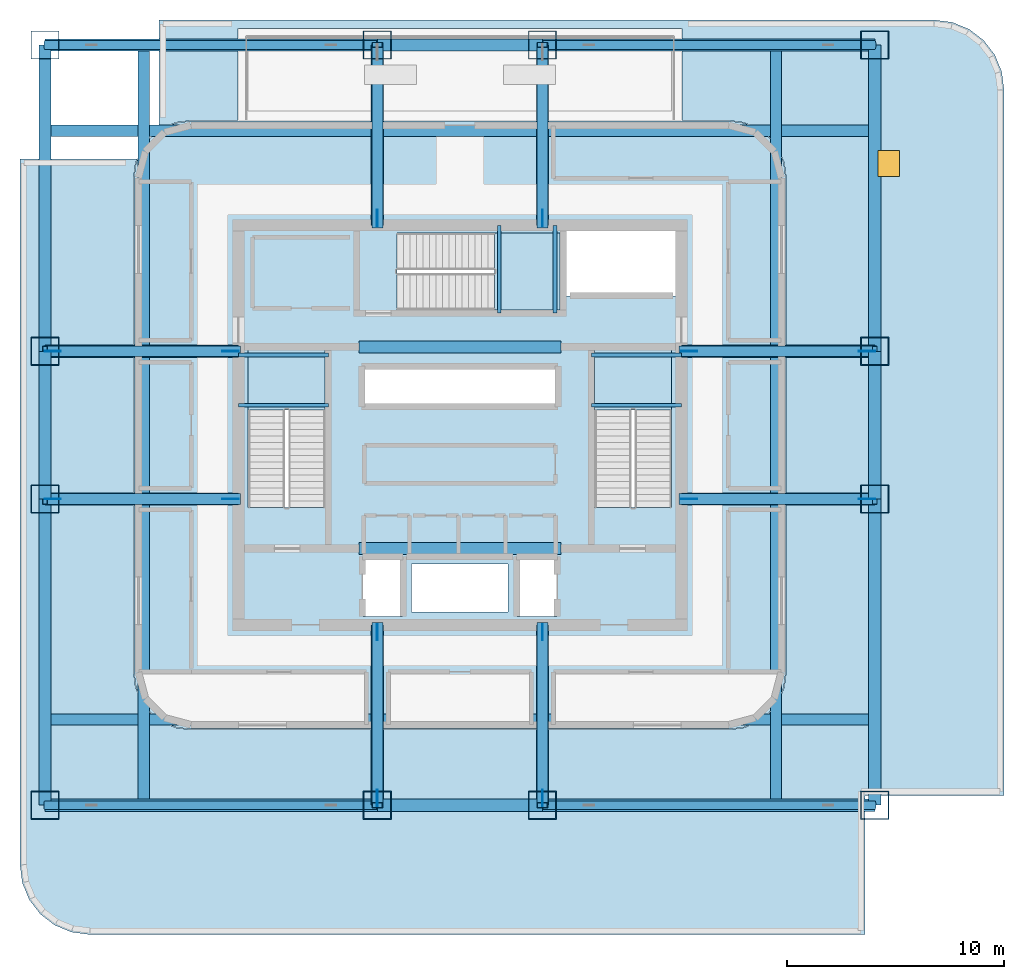
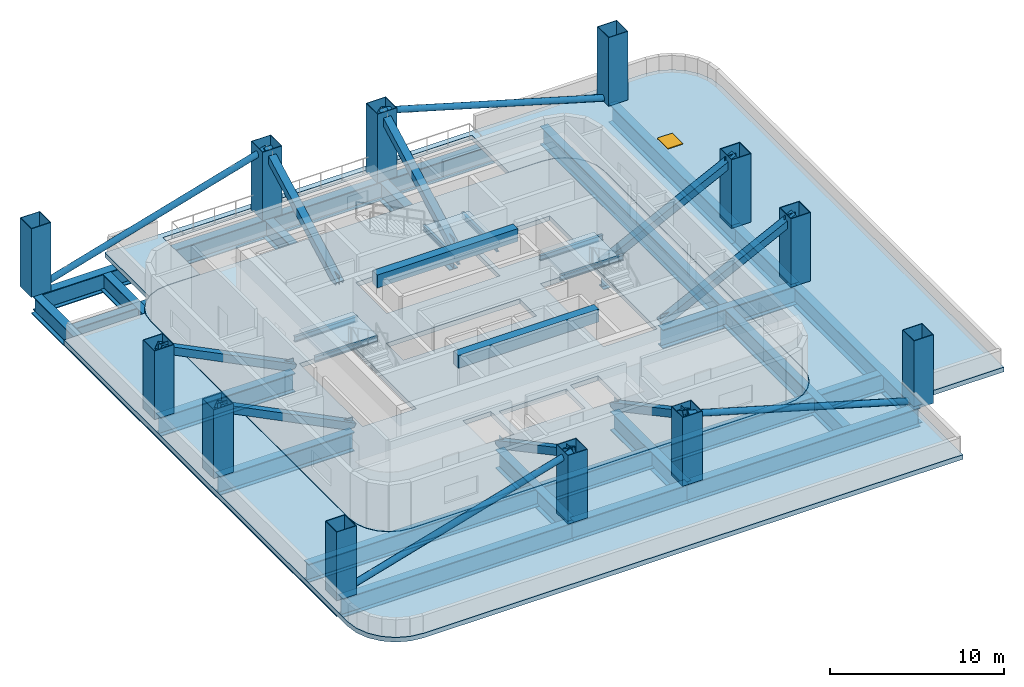
# One storey, part 1 of 11: 32 beams, 14 plates, 12 columns, 12 members, 5 slabs, 1 door, 1 opening, 3 elements without a shape of their own.
"""IFC4 building model written with IfcOpenShell, lengths in metres."""

from ifc_helpers import new_model, si_unit, direction, frame, origin, origin_2d, place, context, subcontext, project, spatial, polyline, rectangle, hollow_rectangle, hollow_circle, i_section, outline, extrude, material, layer, layer_set, material_profile, profile_set, type_object, element, fill, aggregate, save


model = new_model("IFC4")

# Units and contexts
model_context = context("Model", 3, precision=1e-05, world=origin(), true_north=direction((0.0, 1.0)))
body_context = subcontext(model_context, "Body", "Model", "MODEL_VIEW")
ifc_project = project(units=[si_unit("LENGTHUNIT", "METRE"), si_unit("AREAUNIT", "SQUARE_METRE"), si_unit("VOLUMEUNIT", "CUBIC_METRE"), si_unit("PLANEANGLEUNIT", "RADIAN"), si_unit("MASSUNIT", "GRAM", prefix="KILO")], contexts=[model_context])

# Site, building, storey
site_placement = place(None, origin())
site = spatial("IfcSite", under=ifc_project, at=site_placement, CompositionType="ELEMENT")
building_placement = place(site_placement, origin())
building = spatial("IfcBuilding", under=site, at=building_placement, Name="Punatoya Terracotta Tower", CompositionType="ELEMENT")
storey_placement = place(building_placement, frame((0.0, 0.0, 237.0)))
storey = spatial("IfcBuildingStorey", under=building, at=storey_placement, Name="L56", CompositionType="ELEMENT", Elevation=237.0)

# Columns
ifc_material_1 = material(Name="Steel S460", Category="steel")
ifc_material_profile_1 = material_profile(ifc_material_1, hollow_rectangle(XDim=1.300048828125, YDim=1.300048828125, WallThickness=0.0380859375, at=origin_2d()))
ifc_profile_set_1 = profile_set([ifc_material_profile_1], Name="Steel S460")
column_type = type_object("IfcColumnType", Name="COL-MC-Z3", PredefinedType="COLUMN", material=ifc_profile_set_1)
for number, where, z_axis, x_axis, name in (
    (1, (-19.10009765625, -17.5, 0.0), (0.0, 0.0, 1.0), (1.0, 0.0, 0.0), "L56 Composite Mega-Column MC-01 (3-B)"),
    (2, (-3.800048828125, -17.5, 0.0), (0.0, 0.0, 1.0), (1.0, 0.0, 0.0), "L56 Composite Mega-Column MC-02 (5-B)"),
    (3, (3.800048828125, -17.5, 0.0), (0.0, 0.0, 1.0), (1.0, 0.0, 0.0), "L56 Composite Mega-Column MC-03 (7-B)"),
    (4, (19.10009765625, -17.5, 0.0), (0.0, 0.0, 1.0), (1.0, 0.0, 0.0), "L56 Composite Mega-Column MC-04 (9-B)"),
    (5, (19.10009765625, -3.39990234375, 0.0), (0.0, 0.0, 1.0), (1.0, 0.0, 0.0), "L56 Composite Mega-Column MC-05 (9-D)"),
    (6, (19.10009765625, 3.39990234375, 0.0), (0.0, 0.0, 1.0), (1.0, 0.0, 0.0), "L56 Composite Mega-Column MC-06 (9-E)"),
    (7, (19.10009765625, 17.5, 0.0), (0.0, 0.0, 1.0), (1.0, 0.0, 0.0), "L56 Composite Mega-Column MC-07 (9-G)"),
    (8, (3.800048828125, 17.5, 0.0), (0.0, 0.0, 1.0), (1.0, 0.0, 0.0), "L56 Composite Mega-Column MC-08 (7-G)"),
    (9, (-3.800048828125, 17.5, 0.0), (0.0, 0.0, 1.0), (1.0, 0.0, 0.0), "L56 Composite Mega-Column MC-09 (5-G)"),
    (10, (-19.10009765625, 17.5, 0.0), (0.0, 0.0, 1.0), (1.0, 0.0, 0.0), "L56 Composite Mega-Column MC-10 (3-G)"),
    (11, (-19.10009765625, 3.39990234375, 0.0), (0.0, 0.0, 1.0), (1.0, 0.0, 0.0), "L56 Composite Mega-Column MC-11 (3-E)"),
    (12, (-19.10009765625, -3.39990234375, 0.0), (0.0, 0.0, 1.0), (1.0, 0.0, 0.0), "L56 Composite Mega-Column MC-12 (3-D)"),
):
    element("IfcColumn", number, at=place(storey_placement, frame(where, z_axis=z_axis, x_axis=x_axis)), inside=storey, type_object=column_type, Name=name, PredefinedType="COLUMN", context=body_context, shape_type="SweptSolid", body=[
        extrude(hollow_rectangle(XDim=1.300048828125, YDim=1.300048828125, WallThickness=0.0380859375, at=origin_2d()), origin(), (0.0, 0.0, 1.0), 4.800048828125),
    ])

# Beams
ifc_material_2 = material(Name="Concrete C50/60", Category="concrete")
ifc_material_profile_2 = material_profile(ifc_material_2, rectangle(XDim=0.550048828125, YDim=0.89990234375, at=origin_2d()))
ifc_profile_set_2 = profile_set([ifc_material_profile_2], Name="Concrete C50/60")
beam_type_1 = type_object("IfcBeamType", Name="BM-RC-900", PredefinedType="LINTEL", material=ifc_profile_set_2)
for number, where, z_axis, x_axis, name in (
    (13, (-4.64990234375, -5.679931640625, 4.030029296875), (1.0, 0.0, 0.0), (0.0, 1.0, 0.0), "L56 Core Coupling Lintel CSW"),
    (14, (-4.64990234375, 3.60009765625, 4.030029296875), (1.0, 0.0, 0.0), (0.0, 1.0, 0.0), "L56 Core Coupling Lintel CNW"),
):
    element("IfcBeam", number, at=place(storey_placement, frame(where, z_axis=z_axis, x_axis=x_axis)), inside=storey, type_object=beam_type_1, Name=name, PredefinedType="LINTEL", context=body_context, shape_type="SweptSolid", body=[
        extrude(rectangle(XDim=0.550048828125, YDim=0.89990234375, at=origin_2d()), origin(), (0.0, 0.0, 1.0), 9.2998046875),
    ])
ifc_material_3 = material(Name="Steel S355", Category="steel")
ifc_material_profile_3 = material_profile(ifc_material_3, i_section(OverallWidth=0.169921875, OverallDepth=0.360107421875, WebThickness=0.008056640625, FlangeThickness=0.0126953125, FilletRadius=0.01806640625, at=origin_2d()))
ifc_profile_set_3 = profile_set([ifc_material_profile_3], Name="Steel S355")
beam_type_2 = type_object("IfcBeamType", Name="BM-SEC-360", PredefinedType="JOIST", material=ifc_profile_set_3)
for number, where, z_axis, x_axis, name in (
    (15, (-10.199951171875, 0.919921875, 2.02001953125), (1.0, 0.0, 0.0), (0.0, 1.0, 0.0), "BM-L56-ST-1-LD1A"),
    (16, (-10.199951171875, 3.22998046875, 2.02001953125), (1.0, 0.0, 0.0), (0.0, 1.0, 0.0), "BM-L56-ST-1-LD1B"),
    (17, (6.050048828125, 0.919921875, 2.02001953125), (1.0, 0.0, 0.0), (0.0, 1.0, 0.0), "BM-L56-ST-2-LD1A"),
    (18, (6.050048828125, 3.22998046875, 2.02001953125), (1.0, 0.0, 0.0), (0.0, 1.0, 0.0), "BM-L56-ST-2-LD1B"),
):
    element("IfcBeam", number, at=place(storey_placement, frame(where, z_axis=z_axis, x_axis=x_axis)), inside=storey, type_object=beam_type_2, Name=name, PredefinedType="JOIST", context=body_context, shape_type="SweptSolid", body=[
        extrude(i_section(OverallWidth=0.169921875, OverallDepth=0.360107421875, WebThickness=0.008056640625, FlangeThickness=0.0126953125, FilletRadius=0.01806640625, at=origin_2d()), origin(), (0.0, 0.0, 1.0), 4.14990234375),
    ])
for number, where, z_axis, x_axis, name in (
    (19, (1.820068359375, 5.14990234375, 2.02001953125), (0.0, 1.0, 0.0), (-1.0, 0.0, 0.0), "BM-L56-ST-3-LD1A"),
    (20, (4.3798828125, 5.14990234375, 2.02001953125), (0.0, 1.0, 0.0), (-1.0, 0.0, 0.0), "BM-L56-ST-3-LD1B"),
):
    element("IfcBeam", number, at=place(storey_placement, frame(where, z_axis=z_axis, x_axis=x_axis)), inside=storey, type_object=beam_type_2, Name=name, PredefinedType="JOIST", context=body_context, shape_type="SweptSolid", body=[
        extrude(i_section(OverallWidth=0.169921875, OverallDepth=0.360107421875, WebThickness=0.008056640625, FlangeThickness=0.0126953125, FilletRadius=0.01806640625, at=origin_2d()), origin(), (0.0, 0.0, 1.0), 4.050048828125),
    ])
ifc_material_profile_4 = material_profile(ifc_material_1, i_section(OverallWidth=0.56005859375, OverallDepth=1.320068359375, WebThickness=0.035888671875, FlangeThickness=0.054931640625, FilletRadius=0.01806640625, at=origin_2d()))
ifc_profile_set_4 = profile_set([ifc_material_profile_4], Name="Steel S460")
beam_type_3 = type_object("IfcBeamType", Name="BM-TG-BLK", PredefinedType="BEAM", material=ifc_profile_set_4)
beam_1_placement = place(storey_placement, frame((-19.10009765625, -17.5, -0.97998046875), z_axis=(1.0, 0.0, 0.0), x_axis=(0.0, 1.0, 0.0)))
element("IfcBeam", 21, at=beam_1_placement, inside=storey, type_object=beam_type_3, Name="BM-L56-RG-S1", PredefinedType="BEAM", context=body_context, shape_type="SweptSolid", body=[
    extrude(i_section(OverallWidth=0.56005859375, OverallDepth=1.320068359375, WebThickness=0.035888671875, FlangeThickness=0.054931640625, FilletRadius=0.01806640625, at=origin_2d()), origin(), (0.0, 0.0, 1.0), 15.300048828125),
])
beam_2_placement = place(storey_placement, frame((-3.800048828125, -17.5, -0.97998046875), z_axis=(1.0, 0.0, 0.0), x_axis=(0.0, 1.0, 0.0)))
element("IfcBeam", 22, at=beam_2_placement, inside=storey, type_object=beam_type_3, Name="BM-L56-RG-S2", PredefinedType="BEAM", context=body_context, shape_type="SweptSolid", body=[
    extrude(i_section(OverallWidth=0.56005859375, OverallDepth=1.320068359375, WebThickness=0.035888671875, FlangeThickness=0.054931640625, FilletRadius=0.01806640625, at=origin_2d()), origin(), (0.0, 0.0, 1.0), 7.60009765625),
])
for number, where, z_axis, x_axis, name in (
    (23, (3.800048828125, -17.5, -0.97998046875), (1.0, 0.0, 0.0), (0.0, 1.0, 0.0), "BM-L56-RG-S3"),
    (24, (-19.10009765625, 17.5, -0.97998046875), (1.0, 0.0, 0.0), (0.0, 1.0, 0.0), "BM-L56-RG-N1"),
):
    element("IfcBeam", number, at=place(storey_placement, frame(where, z_axis=z_axis, x_axis=x_axis)), inside=storey, type_object=beam_type_3, Name=name, PredefinedType="BEAM", context=body_context, shape_type="SweptSolid", body=[
        extrude(i_section(OverallWidth=0.56005859375, OverallDepth=1.320068359375, WebThickness=0.035888671875, FlangeThickness=0.054931640625, FilletRadius=0.01806640625, at=origin_2d()), origin(), (0.0, 0.0, 1.0), 15.300048828125),
    ])
beam_3_placement = place(storey_placement, frame((-3.800048828125, 17.5, -0.97998046875), z_axis=(1.0, 0.0, 0.0), x_axis=(0.0, 1.0, 0.0)))
element("IfcBeam", 25, at=beam_3_placement, inside=storey, type_object=beam_type_3, Name="BM-L56-RG-N2", PredefinedType="BEAM", context=body_context, shape_type="SweptSolid", body=[
    extrude(i_section(OverallWidth=0.56005859375, OverallDepth=1.320068359375, WebThickness=0.035888671875, FlangeThickness=0.054931640625, FilletRadius=0.01806640625, at=origin_2d()), origin(), (0.0, 0.0, 1.0), 7.60009765625),
])
beam_4_placement = place(storey_placement, frame((3.800048828125, 17.5, -0.97998046875), z_axis=(1.0, 0.0, 0.0), x_axis=(0.0, 1.0, 0.0)))
element("IfcBeam", 26, at=beam_4_placement, inside=storey, type_object=beam_type_3, Name="BM-L56-RG-N3", PredefinedType="BEAM", context=body_context, shape_type="SweptSolid", body=[
    extrude(i_section(OverallWidth=0.56005859375, OverallDepth=1.320068359375, WebThickness=0.035888671875, FlangeThickness=0.054931640625, FilletRadius=0.01806640625, at=origin_2d()), origin(), (0.0, 0.0, 1.0), 15.300048828125),
])
beam_5_placement = place(storey_placement, frame((-19.10009765625, -17.5, -0.97998046875), z_axis=(0.0, 1.0, 0.0), x_axis=(-1.0, 0.0, 0.0)))
element("IfcBeam", 27, at=beam_5_placement, inside=storey, type_object=beam_type_3, Name="BM-L56-RG-W1", PredefinedType="BEAM", context=body_context, shape_type="SweptSolid", body=[
    extrude(i_section(OverallWidth=0.56005859375, OverallDepth=1.320068359375, WebThickness=0.035888671875, FlangeThickness=0.054931640625, FilletRadius=0.01806640625, at=origin_2d()), origin(), (0.0, 0.0, 1.0), 14.10009765625),
])
beam_6_placement = place(storey_placement, frame((-19.10009765625, -3.39990234375, -0.97998046875), z_axis=(0.0, 1.0, 0.0), x_axis=(-1.0, 0.0, 0.0)))
element("IfcBeam", 28, at=beam_6_placement, inside=storey, type_object=beam_type_3, Name="BM-L56-RG-W2", PredefinedType="BEAM", context=body_context, shape_type="SweptSolid", body=[
    extrude(i_section(OverallWidth=0.56005859375, OverallDepth=1.320068359375, WebThickness=0.035888671875, FlangeThickness=0.054931640625, FilletRadius=0.01806640625, at=origin_2d()), origin(), (0.0, 0.0, 1.0), 6.7998046875),
])
for number, where, z_axis, x_axis, name in (
    (29, (-19.10009765625, 3.39990234375, -0.97998046875), (0.0, 1.0, 0.0), (-1.0, 0.0, 0.0), "BM-L56-RG-W3"),
    (30, (19.10009765625, -17.5, -0.97998046875), (0.0, 1.0, 0.0), (-1.0, 0.0, 0.0), "BM-L56-RG-E1"),
):
    element("IfcBeam", number, at=place(storey_placement, frame(where, z_axis=z_axis, x_axis=x_axis)), inside=storey, type_object=beam_type_3, Name=name, PredefinedType="BEAM", context=body_context, shape_type="SweptSolid", body=[
        extrude(i_section(OverallWidth=0.56005859375, OverallDepth=1.320068359375, WebThickness=0.035888671875, FlangeThickness=0.054931640625, FilletRadius=0.01806640625, at=origin_2d()), origin(), (0.0, 0.0, 1.0), 14.10009765625),
    ])
beam_7_placement = place(storey_placement, frame((19.10009765625, -3.39990234375, -0.97998046875), z_axis=(0.0, 1.0, 0.0), x_axis=(-1.0, 0.0, 0.0)))
element("IfcBeam", 31, at=beam_7_placement, inside=storey, type_object=beam_type_3, Name="BM-L56-RG-E2", PredefinedType="BEAM", context=body_context, shape_type="SweptSolid", body=[
    extrude(i_section(OverallWidth=0.56005859375, OverallDepth=1.320068359375, WebThickness=0.035888671875, FlangeThickness=0.054931640625, FilletRadius=0.01806640625, at=origin_2d()), origin(), (0.0, 0.0, 1.0), 6.7998046875),
])
beam_8_placement = place(storey_placement, frame((19.10009765625, 3.39990234375, -0.97998046875), z_axis=(0.0, 1.0, 0.0), x_axis=(-1.0, 0.0, 0.0)))
element("IfcBeam", 32, at=beam_8_placement, inside=storey, type_object=beam_type_3, Name="BM-L56-RG-E3", PredefinedType="BEAM", context=body_context, shape_type="SweptSolid", body=[
    extrude(i_section(OverallWidth=0.56005859375, OverallDepth=1.320068359375, WebThickness=0.035888671875, FlangeThickness=0.054931640625, FilletRadius=0.01806640625, at=origin_2d()), origin(), (0.0, 0.0, 1.0), 14.10009765625),
])
for number, where, z_axis, x_axis, name in (
    (33, (-19.10009765625, -3.39990234375, -0.97998046875), (1.0, 0.0, 0.0), (0.0, 1.0, 0.0), "BM-L56-PR-WD"),
    (34, (-19.10009765625, 3.39990234375, -0.97998046875), (1.0, 0.0, 0.0), (0.0, 1.0, 0.0), "BM-L56-PR-WE"),
    (35, (10.199951171875, -3.39990234375, -0.97998046875), (1.0, 0.0, 0.0), (0.0, 1.0, 0.0), "BM-L56-PR-ED"),
    (36, (10.199951171875, 3.39990234375, -0.97998046875), (1.0, 0.0, 0.0), (0.0, 1.0, 0.0), "BM-L56-PR-EE"),
):
    element("IfcBeam", number, at=place(storey_placement, frame(where, z_axis=z_axis, x_axis=x_axis)), inside=storey, type_object=beam_type_3, Name=name, PredefinedType="BEAM", context=body_context, shape_type="SweptSolid", body=[
        extrude(i_section(OverallWidth=0.56005859375, OverallDepth=1.320068359375, WebThickness=0.035888671875, FlangeThickness=0.054931640625, FilletRadius=0.01806640625, at=origin_2d()), origin(), (0.0, 0.0, 1.0), 8.900146484375),
    ])
for number, where, z_axis, x_axis, name in (
    (37, (-3.800048828125, -17.5, -0.97998046875), (0.0, 1.0, 0.0), (-1.0, 0.0, 0.0), "BM-L56-PR-S2"),
    (38, (3.800048828125, -17.5, -0.97998046875), (0.0, 1.0, 0.0), (-1.0, 0.0, 0.0), "BM-L56-PR-S3"),
    (39, (-3.800048828125, 9.199951171875, -0.97998046875), (0.0, 1.0, 0.0), (-1.0, 0.0, 0.0), "BM-L56-PR-N2"),
    (40, (3.800048828125, 9.199951171875, -0.97998046875), (0.0, 1.0, 0.0), (-1.0, 0.0, 0.0), "BM-L56-PR-N3"),
):
    element("IfcBeam", number, at=place(storey_placement, frame(where, z_axis=z_axis, x_axis=x_axis)), inside=storey, type_object=beam_type_3, Name=name, PredefinedType="BEAM", context=body_context, shape_type="SweptSolid", body=[
        extrude(i_section(OverallWidth=0.56005859375, OverallDepth=1.320068359375, WebThickness=0.035888671875, FlangeThickness=0.054931640625, FilletRadius=0.01806640625, at=origin_2d()), origin(), (0.0, 0.0, 1.0), 8.300048828125),
    ])
ifc_material_profile_5 = material_profile(ifc_material_1, i_section(OverallWidth=0.52001953125, OverallDepth=1.280029296875, WebThickness=0.031982421875, FlangeThickness=0.050048828125, FilletRadius=0.01806640625, at=origin_2d()))
ifc_profile_set_5 = profile_set([ifc_material_profile_5], Name="Steel S460")
beam_type_4 = type_object("IfcBeamType", Name="BM-TG-NCK", PredefinedType="BEAM", material=ifc_profile_set_5)
for number, where, z_axis, x_axis, name in (
    (41, (-19.10009765625, -13.550048828125, -0.9599609375), (1.0, 0.0, 0.0), (0.0, 1.0, 0.0), "BM-L56-NCK-S"),
    (42, (-19.10009765625, 13.550048828125, -0.9599609375), (1.0, 0.0, 0.0), (0.0, 1.0, 0.0), "BM-L56-NCK-N"),
):
    element("IfcBeam", number, at=place(storey_placement, frame(where, z_axis=z_axis, x_axis=x_axis)), inside=storey, type_object=beam_type_4, Name=name, PredefinedType="BEAM", context=body_context, shape_type="SweptSolid", body=[
        extrude(i_section(OverallWidth=0.52001953125, OverallDepth=1.280029296875, WebThickness=0.031982421875, FlangeThickness=0.050048828125, FilletRadius=0.01806640625, at=origin_2d()), origin(), (0.0, 0.0, 1.0), 38.2001953125),
    ])
for number, where, z_axis, x_axis, name in (
    (43, (-14.550048828125, -17.5, -0.9599609375), (0.0, 1.0, 0.0), (-1.0, 0.0, 0.0), "BM-L56-NCK-W"),
    (44, (14.550048828125, -17.5, -0.9599609375), (0.0, 1.0, 0.0), (-1.0, 0.0, 0.0), "BM-L56-NCK-E"),
):
    element("IfcBeam", number, at=place(storey_placement, frame(where, z_axis=z_axis, x_axis=x_axis)), inside=storey, type_object=beam_type_4, Name=name, PredefinedType="BEAM", context=body_context, shape_type="SweptSolid", body=[
        extrude(i_section(OverallWidth=0.52001953125, OverallDepth=1.280029296875, WebThickness=0.031982421875, FlangeThickness=0.050048828125, FilletRadius=0.01806640625, at=origin_2d()), origin(), (0.0, 0.0, 1.0), 35.0),
    ])

# Members
ifc_material_profile_6 = material_profile(ifc_material_1, hollow_circle(Radius=0.202880859375, WallThickness=0.02001953125, at=origin_2d()))
ifc_profile_set_6 = profile_set([ifc_material_profile_6], Name="Steel S460")
member_type_1 = type_object("IfcMemberType", Name="MEM-NCK-CHS", PredefinedType="STRUT", material=ifc_profile_set_6)
for number, where, z_axis, x_axis, name in (
    (45, (-19.10009765625, -17.5, 0.02001953125), (0.960379972166, 0.0, 0.278693934383), (0.0, 1.0, 0.0), "L56 Baradari Colonnade Ring Strut NST-1"),
    (46, (3.800048828125, -17.5, 4.4599609375), (0.960379972166, 0.0, -0.278693934383), (0.0, 1.0, 0.0), "L56 Baradari Colonnade Ring Strut NST-2"),
    (47, (-19.10009765625, 17.5, 0.02001953125), (0.960379972166, 0.0, 0.278693934383), (0.0, 1.0, 0.0), "L56 Baradari Colonnade Ring Strut NST-3"),
    (48, (3.800048828125, 17.5, 4.4599609375), (0.960379972166, 0.0, -0.278693934383), (0.0, 1.0, 0.0), "L56 Baradari Colonnade Ring Strut NST-4"),
):
    element("IfcMember", number, at=place(storey_placement, frame(where, z_axis=z_axis, x_axis=x_axis)), inside=storey, type_object=member_type_1, Name=name, PredefinedType="STRUT", context=body_context, shape_type="SweptSolid", body=[
        extrude(hollow_circle(Radius=0.202880859375, WallThickness=0.02001953125, at=origin_2d()), origin(), (0.0, 0.0, 1.0), 15.93115234375),
    ])
ifc_material_profile_7 = material_profile(ifc_material_1, hollow_rectangle(XDim=0.5, YDim=0.5, WallThickness=0.028076171875, at=origin_2d()))
ifc_profile_set_7 = profile_set([ifc_material_profile_7], Name="Steel S460")
member_type_2 = type_object("IfcMemberType", Name="MEM-OUT-500", PredefinedType="BRACE", material=ifc_profile_set_7)
for number, where, z_axis, x_axis, name in (
    (49, (-10.199951171875, -3.39990234375, 0.02001953125), (-0.894834287834, 0.0, 0.446398473695), (0.0, -1.0, 0.0), "L56 Outrigger Truss Diagonal WS"),
    (50, (-10.199951171875, 3.39990234375, 0.02001953125), (-0.894834287834, 0.0, 0.446398473695), (0.0, -1.0, 0.0), "L56 Outrigger Truss Diagonal WN"),
    (51, (10.199951171875, -3.39990234375, 0.02001953125), (0.894834287834, 0.0, 0.446398473695), (0.0, 1.0, 0.0), "L56 Outrigger Truss Diagonal ES"),
    (52, (10.199951171875, 3.39990234375, 0.02001953125), (0.894834287834, 0.0, 0.446398473695), (0.0, 1.0, 0.0), "L56 Outrigger Truss Diagonal EN"),
):
    element("IfcMember", number, at=place(storey_placement, frame(where, z_axis=z_axis, x_axis=x_axis)), inside=storey, type_object=member_type_2, Name=name, PredefinedType="BRACE", context=body_context, shape_type="SweptSolid", body=[
        extrude(hollow_rectangle(XDim=0.5, YDim=0.5, WallThickness=0.028076171875, at=origin_2d()), origin(), (0.0, 0.0, 1.0), 9.946044921875),
    ])
for number, where, z_axis, x_axis, name in (
    (53, (-3.800048828125, -9.199951171875, 0.02001953125), (0.0, -0.881767833824, 0.471683672851), (1.0, 0.0, 0.0), "L56 Outrigger Truss Diagonal SW"),
    (54, (3.800048828125, -9.199951171875, 0.02001953125), (0.0, -0.881767833824, 0.471683672851), (1.0, 0.0, 0.0), "L56 Outrigger Truss Diagonal SE"),
    (55, (-3.800048828125, 9.199951171875, 0.02001953125), (0.0, 0.881767833824, 0.471683672851), (-1.0, 0.0, 0.0), "L56 Outrigger Truss Diagonal NW"),
    (56, (3.800048828125, 9.199951171875, 0.02001953125), (0.0, 0.881767833824, 0.471683672851), (-1.0, 0.0, 0.0), "L56 Outrigger Truss Diagonal NE"),
):
    element("IfcMember", number, at=place(storey_placement, frame(where, z_axis=z_axis, x_axis=x_axis)), inside=storey, type_object=member_type_2, Name=name, PredefinedType="BRACE", context=body_context, shape_type="SweptSolid", body=[
        extrude(hollow_rectangle(XDim=0.5, YDim=0.5, WallThickness=0.028076171875, at=origin_2d()), origin(), (0.0, 0.0, 1.0), 9.4130859375),
    ])

# Plates
ifc_layer_1 = layer(ifc_material_1, 0.035888671875)
ifc_layer_set_1 = layer_set([ifc_layer_1], Name="Steel S460")
plate_type = type_object("IfcPlateType", Name="PLT-GUS-36", PredefinedType="USERDEFINED", material=ifc_layer_set_1)
for number, where, z_axis, x_axis, name in (
    (57, (-10.555908203125, -3.39990234375, -0.177490234375), (0.0, 0.0, 1.0), (1.0, 0.0, 0.0), "L56 Outrigger Core Gusset Plate WS"),
    (58, (-18.743896484375, -3.39990234375, 3.907470703125), (0.0, 0.0, 1.0), (1.0, 0.0, 0.0), "L56 Outrigger Mega-Column Gusset Plate WS"),
    (59, (-10.555908203125, 3.39990234375, -0.177490234375), (0.0, 0.0, 1.0), (1.0, 0.0, 0.0), "L56 Outrigger Core Gusset Plate WN"),
    (60, (-18.743896484375, 3.39990234375, 3.907470703125), (0.0, 0.0, 1.0), (1.0, 0.0, 0.0), "L56 Outrigger Mega-Column Gusset Plate WN"),
    (61, (10.555908203125, -3.39990234375, -0.177490234375), (0.0, 0.0, 1.0), (1.0, 0.0, 0.0), "L56 Outrigger Core Gusset Plate ES"),
    (62, (18.743896484375, -3.39990234375, 3.907470703125), (0.0, 0.0, 1.0), (1.0, 0.0, 0.0), "L56 Outrigger Mega-Column Gusset Plate ES"),
    (63, (10.555908203125, 3.39990234375, -0.177490234375), (0.0, 0.0, 1.0), (1.0, 0.0, 0.0), "L56 Outrigger Core Gusset Plate EN"),
    (64, (18.743896484375, 3.39990234375, 3.907470703125), (0.0, 0.0, 1.0), (1.0, 0.0, 0.0), "L56 Outrigger Mega-Column Gusset Plate EN"),
    (65, (-3.800048828125, -9.531982421875, -0.177490234375), (0.0, 0.0, 1.0), (0.0, 1.0, 0.0), "L56 Outrigger Core Gusset Plate SW"),
    (66, (-3.800048828125, -17.16796875, 3.907470703125), (0.0, 0.0, 1.0), (0.0, 1.0, 0.0), "L56 Outrigger Mega-Column Gusset Plate SW"),
    (67, (3.800048828125, -9.531982421875, -0.177490234375), (0.0, 0.0, 1.0), (0.0, 1.0, 0.0), "L56 Outrigger Core Gusset Plate SE"),
    (68, (3.800048828125, -17.16796875, 3.907470703125), (0.0, 0.0, 1.0), (0.0, 1.0, 0.0), "L56 Outrigger Mega-Column Gusset Plate SE"),
    (69, (-3.800048828125, 9.531982421875, -0.177490234375), (0.0, 0.0, 1.0), (0.0, 1.0, 0.0), "L56 Outrigger Core Gusset Plate NW"),
    (70, (3.800048828125, 9.531982421875, -0.177490234375), (0.0, 0.0, 1.0), (0.0, 1.0, 0.0), "L56 Outrigger Core Gusset Plate NE"),
):
    element("IfcPlate", number, at=place(storey_placement, frame(where, z_axis=z_axis, x_axis=x_axis)), inside=storey, type_object=plate_type, Name=name, ObjectType="GUSSET_PLATE", PredefinedType="USERDEFINED", context=body_context, shape_type="SweptSolid", body=[
        extrude(rectangle(XDim=0.75, YDim=0.035888671875, at=origin_2d()), origin(), (0.0, 0.0, 1.0), 0.75),
    ])

# Stair, slab
ifc_material_4 = material(Name="Concrete C40/50", Category="concrete")
stair_type_1 = type_object("IfcStairType", Name="STR-TER-1450", PredefinedType="HALF_TURN_STAIR", material=ifc_material_4)
stair_1_placement = place(storey_placement, origin())
stair_1 = element("IfcStair", 71, at=stair_1_placement, inside=storey, type_object=stair_type_1, Name="L56 Protected Core Exit Stair ST-3", PredefinedType="HALF_TURN_STAIR")
ifc_layer_2 = layer(ifc_material_4, 0.1650390625)
ifc_layer_set_2 = layer_set([ifc_layer_2], Name="Concrete C40/50")
slab_type_1 = type_object("IfcSlabType", Name="SLB-LND-165", PredefinedType="LANDING", material=ifc_layer_set_2)
slab_1_placement = place(storey_placement, frame((0.0, 0.0, 2.199951171875)))
slab_1 = element("IfcSlab", 72, at=slab_1_placement, type_object=slab_type_1, Name="ST-3 landing 1", PredefinedType="LANDING", context=body_context, shape_type="SweptSolid", body=[
    extrude(outline(polyline([(1.60009765625, 5.300048828125), (4.60009765625, 5.300048828125), (4.60009765625, 8.85009765625), (1.60009765625, 8.85009765625), (1.60009765625, 5.300048828125)])), origin(), (0.0, 0.0, 1.0), 0.199951171875),
])
aggregate(stair_1, [slab_1])

stair_type_2 = type_object("IfcStairType", Name="STR-CORE-1550", PredefinedType="HALF_TURN_STAIR", material=ifc_material_4)
stair_2_placement = place(storey_placement, origin())
stair_2 = element("IfcStair", 73, at=stair_2_placement, inside=storey, type_object=stair_type_2, Name="L56 Protected Core Exit Stair ST-1", PredefinedType="HALF_TURN_STAIR")
ifc_layer_3 = layer(ifc_material_4, 0.179931640625)
ifc_layer_set_3 = layer_set([ifc_layer_3], Name="Concrete C40/50")
slab_type_2 = type_object("IfcSlabType", Name="SLB-LND-180", PredefinedType="LANDING", material=ifc_layer_set_3)
slab_2_placement = place(storey_placement, frame((0.0, 0.0, 2.199951171875)))
slab_2 = element("IfcSlab", 74, at=slab_2_placement, type_object=slab_type_2, Name="ST-1 landing 1", PredefinedType="LANDING", context=body_context, shape_type="SweptSolid", body=[
    extrude(outline(polyline([(-6.199951171875, 0.699951171875), (-6.199951171875, 3.449951171875), (-9.75, 3.449951171875), (-9.75, 0.699951171875), (-6.199951171875, 0.699951171875)])), origin(), (0.0, 0.0, 1.0), 0.199951171875),
])
aggregate(stair_2, [slab_2])

stair_type_3 = type_object("IfcStairType", Name="STR-LOB-1650", PredefinedType="HALF_TURN_STAIR", material=ifc_material_4)
stair_3_placement = place(storey_placement, origin())
stair_3 = element("IfcStair", 75, at=stair_3_placement, inside=storey, type_object=stair_type_3, Name="L56 Protected Core Exit Stair ST-2", PredefinedType="HALF_TURN_STAIR")
slab_3_placement = place(storey_placement, frame((0.0, 0.0, 2.199951171875)))
slab_3 = element("IfcSlab", 76, at=slab_3_placement, type_object=slab_type_2, Name="ST-2 landing 1", PredefinedType="LANDING", context=body_context, shape_type="SweptSolid", body=[
    extrude(outline(polyline([(9.75, 0.699951171875), (9.75, 3.449951171875), (6.199951171875, 3.449951171875), (6.199951171875, 0.699951171875), (9.75, 0.699951171875)])), origin(), (0.0, 0.0, 1.0), 0.199951171875),
])
aggregate(stair_3, [slab_3])

# Slab
ifc_layer_4 = layer(ifc_material_4, 0.320068359375)
ifc_layer_set_4 = layer_set([ifc_layer_4], Name="Concrete C40/50")
slab_type_3 = type_object("IfcSlabType", Name="SLB-PLT-320", PredefinedType="FLOOR", material=ifc_layer_set_4)
slab_4_placement = place(storey_placement, frame((0.0, 0.0, -0.320068359375)))
element("IfcSlab", 77, at=slab_4_placement, inside=storey, type_object=slab_type_3, Name="L56 Structural Floor Slab", PredefinedType="FLOOR", context=body_context, shape_type="SweptSolid", body=[
    extrude(outline(polyline([(-12.39990234375, -14.0), (-13.072998046875, -13.911376953125), (-13.699951171875, -13.651611328125), (-14.238525390625, -13.238525390625), (-14.651611328125, -12.699951171875), (-14.911376953125, -12.072998046875), (-15.0, -11.39990234375), (-15.0, 11.39990234375), (-14.911376953125, 12.072998046875), (-14.651611328125, 12.699951171875), (-14.238525390625, 13.238525390625), (-13.699951171875, 13.651611328125), (-13.072998046875, 13.911376953125), (-12.39990234375, 14.0), (12.39990234375, 14.0), (13.072998046875, 13.911376953125), (13.699951171875, 13.651611328125), (14.238525390625, 13.238525390625), (14.651611328125, 12.699951171875), (14.911376953125, 12.072998046875), (15.0, 11.39990234375), (15.0, -11.39990234375), (14.911376953125, -12.072998046875), (14.651611328125, -12.699951171875), (14.238525390625, -13.238525390625), (13.699951171875, -13.651611328125), (13.072998046875, -13.911376953125), (12.39990234375, -14.0), (-12.39990234375, -14.0)]), holes=[polyline([(-2.6298828125, -6.179931640625), (-4.469970703125, -6.179931640625), (-4.469970703125, -8.820068359375), (-2.6298828125, -8.820068359375), (-2.6298828125, -6.179931640625)]), polyline([(0.02001953125, -8.594970703125), (2.219970703125, -8.594970703125), (2.219970703125, -6.405029296875), (0.02001953125, -6.405029296875), (-0.02001953125, -6.405029296875), (-2.219970703125, -6.405029296875), (-2.219970703125, -8.594970703125), (-0.02001953125, -8.594970703125), (0.02001953125, -8.594970703125)]), polyline([(-6.199951171875, 3.449951171875), (-9.75, 3.449951171875), (-9.75, -3.79931640625), (-6.199951171875, -3.79931640625), (-6.199951171875, 3.449951171875)]), polyline([(-4.419921875, 2.719970703125), (-4.419921875, 0.780029296875), (-2.219970703125, 0.780029296875), (-2.179931640625, 0.780029296875), (-0.02001953125, 0.780029296875), (0.02001953125, 0.780029296875), (2.179931640625, 0.780029296875), (2.219970703125, 0.780029296875), (4.419921875, 0.780029296875), (4.419921875, 2.719970703125), (2.219970703125, 2.719970703125), (2.179931640625, 2.719970703125), (0.02001953125, 2.719970703125), (-0.02001953125, 2.719970703125), (-2.179931640625, 2.719970703125), (-2.219970703125, 2.719970703125), (-4.419921875, 2.719970703125)]), polyline([(4.60009765625, 5.300048828125), (4.60009765625, 8.85009765625), (-2.899169921875, 8.85009765625), (-2.899169921875, 5.300048828125), (4.60009765625, 5.300048828125)]), polyline([(4.469970703125, -8.820068359375), (4.469970703125, -6.179931640625), (2.6298828125, -6.179931640625), (2.6298828125, -8.820068359375), (4.469970703125, -8.820068359375)]), polyline([(9.75, 3.449951171875), (6.199951171875, 3.449951171875), (6.199951171875, -3.79931640625), (9.75, -3.79931640625), (9.75, 3.449951171875)]), polyline([(10.050048828125, 5.949951171875), (10.050048828125, 9.050048828125), (4.89990234375, 9.050048828125), (4.89990234375, 5.949951171875), (10.050048828125, 5.949951171875)])]), origin(), (0.0, 0.0, 1.0), 0.320068359375),
])

# Slab, opening, door
ifc_layer_5 = layer(ifc_material_4, 0.320068359375)
ifc_layer_set_5 = layer_set([ifc_layer_5], Name="Concrete C40/50")
slab_type_4 = type_object("IfcSlabType", Name="SLB-ROF-320", PredefinedType="ROOF", material=ifc_layer_set_5)
slab_5_placement = place(storey_placement, frame((0.0, 0.0, -0.320068359375)))
slab_5 = element("IfcSlab", 78, at=slab_5_placement, inside=storey, type_object=slab_type_4, Name="L56 Junction Roof Slab 1 over L55 Plate", PredefinedType="ROOF", context=body_context, shape_type="SweptSolid", body=[
    extrude(outline(polyline([(22.67822265625, 18.541015625), (21.85009765625, 18.64990234375), (-13.85009765625, 18.64990234375), (-13.85009765625, 13.561767578125), (-13.710205078125, 13.669189453125), (-13.078125, 13.930908203125), (-12.4013671875, 14.02001953125), (-10.219970703125, 14.02001953125), (-10.219970703125, 18.27001953125), (10.219970703125, 18.27001953125), (10.219970703125, 14.02001953125), (12.4013671875, 14.02001953125), (13.078125, 13.930908203125), (13.710205078125, 13.669189453125), (14.252685546875, 13.252685546875), (14.669189453125, 12.710205078125), (14.930908203125, 12.078125), (15.02001953125, 11.4013671875), (15.02001953125, -11.4013671875), (14.930908203125, -12.078125), (14.669189453125, -12.710205078125), (14.252685546875, -13.252685546875), (13.710205078125, -13.669189453125), (13.078125, -13.930908203125), (12.4013671875, -14.02001953125), (-12.4013671875, -14.02001953125), (-13.078125, -13.930908203125), (-13.710205078125, -13.669189453125), (-14.252685546875, -13.252685546875), (-14.669189453125, -12.710205078125), (-14.930908203125, -12.078125), (-15.02001953125, -11.4013671875), (-15.02001953125, 11.4013671875), (-14.930908203125, 12.078125), (-14.859619140625, 12.25), (-20.25, 12.25), (-20.25, -20.25), (-20.14111328125, -21.078125), (-19.8212890625, -21.85009765625), (-19.312744140625, -22.5126953125), (-18.64990234375, -23.021240234375), (-17.878173828125, -23.341064453125), (-17.050048828125, -23.449951171875), (18.64990234375, -23.449951171875), (18.64990234375, -17.050048828125), (25.050048828125, -17.050048828125), (25.050048828125, 15.449951171875), (24.94091796875, 16.2783203125), (24.621337890625, 17.050048828125), (24.11279296875, 17.712646484375), (23.449951171875, 18.22119140625), (22.67822265625, 18.541015625)]), holes=[polyline([(20.25, 12.64990234375), (20.25, 11.449951171875), (19.25, 11.449951171875), (19.25, 12.64990234375), (20.25, 12.64990234375)])]), origin(), (0.0, 0.0, 1.0), 0.320068359375),
])
opening_placement = place(slab_5_placement, frame((19.75, 12.050048828125, 0.0)))
opening = element("IfcOpeningElement", 79, at=opening_placement, cuts=slab_5, Name="Opening RHT-1", PredefinedType="OPENING", context=body_context, shape_type="SweptSolid", body=[
    extrude(rectangle(XDim=1.0, YDim=1.199951171875, at=origin_2d()), frame((0.0, 0.0, -0.010009765625)), (0.0, 0.0, 1.0), 0.39013671875),
])
ifc_material_5 = material(Name="Insulated Aluminium Roof Hatch", Category="aluminium")
door_type = type_object("IfcDoorType", Name="DR-HTCH-1000", OperationType="NOTDEFINED", PredefinedType="TRAPDOOR", material=ifc_material_5)
door_placement = place(opening_placement, frame((0.0, 0.0, 0.320068359375)))
door = element("IfcDoor", 80, at=door_placement, inside=storey, type_object=door_type, Name="L56 Junction Roof Maintenance Hatch 1", OperationType="SINGLE_SWING_LEFT", OverallHeight=1.199951171875, OverallWidth=1.0, PredefinedType="TRAPDOOR", context=body_context, shape_type="SweptSolid", body=[
    extrude(rectangle(XDim=1.0, YDim=1.199951171875, at=origin_2d()), origin(), (0.0, 0.0, 1.0), 0.050048828125),
])
fill(opening, door)

save(model, "model.ifc")
